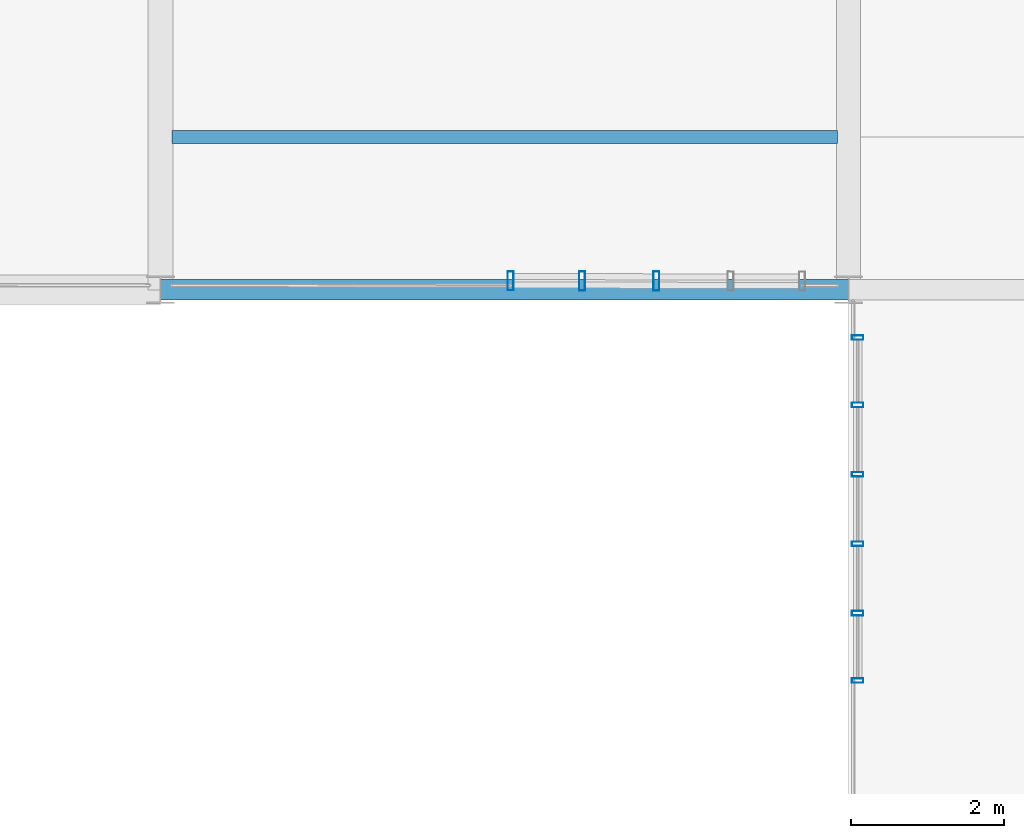
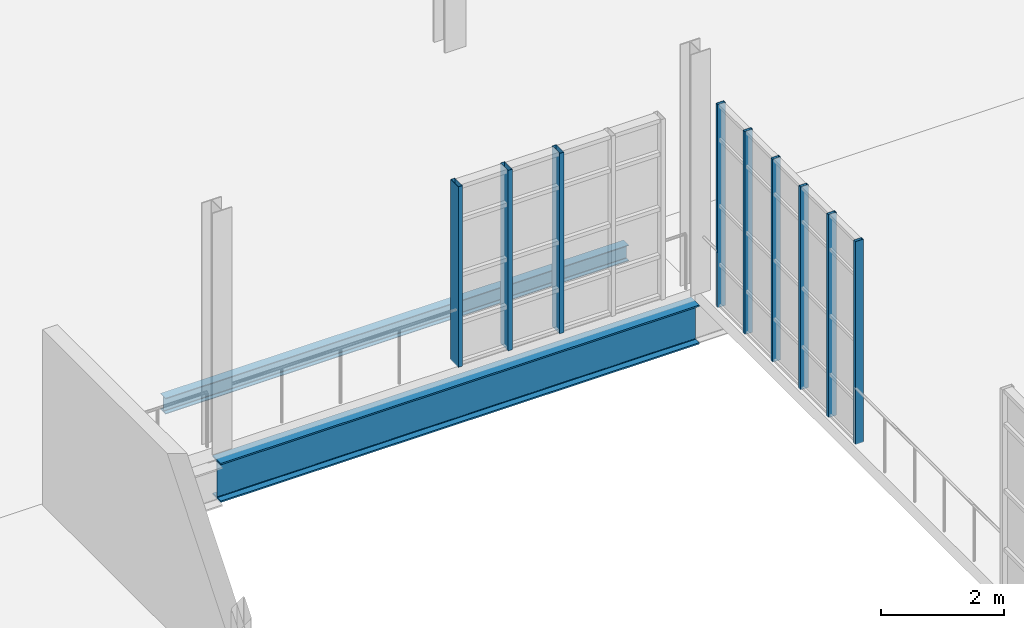
# One storey, part 35 of 122: 9 members, 2 beams, 2 elements without a shape of their own.
"""IFC4 building model written with IfcOpenShell, lengths in metres."""

from ifc_helpers import new_model, si_unit, direction, frame, origin, origin_2d, place, context, subcontext, project, spatial, hollow_rectangle, i_section, extrude, material, layer, layer_set, material_profile, profile_set, type_object, element, aggregate, save


model = new_model("IFC4")

# Units and contexts
model_context = context("Model", 3, precision=1e-05, world=origin(), true_north=direction((0.0, 1.0)))
body_context = subcontext(model_context, "Body", "Model", "MODEL_VIEW")
ifc_project = project(units=[si_unit("LENGTHUNIT", "METRE"), si_unit("AREAUNIT", "SQUARE_METRE"), si_unit("VOLUMEUNIT", "CUBIC_METRE"), si_unit("PLANEANGLEUNIT", "RADIAN"), si_unit("MASSUNIT", "GRAM", prefix="KILO"), si_unit("THERMODYNAMICTEMPERATUREUNIT", "KELVIN"), si_unit("POWERUNIT", "WATT")], contexts=[model_context])

# Site, building, storey
site_placement = place(None, origin())
site = spatial("IfcSite", under=ifc_project, at=site_placement, CompositionType="ELEMENT")
building_placement = place(site_placement, origin())
building = spatial("IfcBuilding", under=site, at=building_placement, Name="Zelmaris Science Centre", CompositionType="ELEMENT")
storey_placement = place(building_placement, frame((0.0, 0.0, 10.800048828125)))
storey = spatial("IfcBuildingStorey", under=building, at=storey_placement, Name="L02", CompositionType="ELEMENT", Elevation=10.800048828125)

# Curtain wall, members
ifc_material_1 = material(Name="Anodised architectural aluminium 6063-T6", Category="aluminium")
ifc_layer_1 = layer(ifc_material_1, 0.219970703125, Name="Anodised architectural aluminium 6063-T6")
ifc_layer_set_1 = layer_set([ifc_layer_1], Name="Anodised architectural aluminium 6063-T6")
curtain_wall_type_1 = type_object("IfcCurtainWallType", Name="Curtain Wall CW-04", PredefinedType="USERDEFINED", material=ifc_layer_set_1)
curtain_wall_1_placement = place(storey_placement, origin())
curtain_wall_1 = element("IfcCurtainWall", 1, at=curtain_wall_1_placement, inside=storey, type_object=curtain_wall_type_1, Name="L02 Unitised curtain wall 272", ObjectType="GLAZED CURTAIN WALL", PredefinedType="USERDEFINED")
ifc_material_profile_1 = material_profile(ifc_material_1, hollow_rectangle(XDim=0.06005859375, YDim=0.14990234375, WallThickness=0.00341796875, at=origin_2d()), Name="ALU-MUL-60X150")
ifc_profile_set_1 = profile_set([ifc_material_profile_1], Name="Anodised architectural aluminium 6063-T6")
member_type_1 = type_object("IfcMemberType", Name="ALU-MUL-60X150", PredefinedType="MULLION", material=ifc_profile_set_1)
member_1_placement = place(storey_placement, frame((99.1201171875, 58.885986328125, -0.01513671875), z_axis=(0.0, 0.0, 1.0), x_axis=(-5.235988e-06, 0.999999999986, 0.0)))
member_1 = element("IfcMember", 2, at=member_1_placement, type_object=member_type_1, Name="CW-04 mullion 1", PredefinedType="MULLION", context=body_context, shape_type="SweptSolid", body=[
    extrude(hollow_rectangle(XDim=0.06005859375, YDim=0.14990234375, WallThickness=0.00341796875, at=origin_2d()), origin(), (0.0, 0.0, 1.0), 4.03515625),
])
member_2_placement = place(storey_placement, frame((99.1201171875, 59.76806640625, -0.01513671875), z_axis=(0.0, 0.0, 1.0), x_axis=(-5.235988e-06, 0.999999999986, 0.0)))
member_2 = element("IfcMember", 3, at=member_2_placement, type_object=member_type_1, Name="CW-04 mullion 2", PredefinedType="MULLION", context=body_context, shape_type="SweptSolid", body=[
    extrude(hollow_rectangle(XDim=0.06005859375, YDim=0.14990234375, WallThickness=0.00341796875, at=origin_2d()), origin(), (0.0, 0.0, 1.0), 4.03515625),
])
member_3_placement = place(storey_placement, frame((99.1201171875, 60.676025390625, -0.01513671875), z_axis=(0.0, 0.0, 1.0), x_axis=(-5.235988e-06, 0.999999999986, 0.0)))
member_3 = element("IfcMember", 4, at=member_3_placement, type_object=member_type_1, Name="CW-04 mullion 3", PredefinedType="MULLION", context=body_context, shape_type="SweptSolid", body=[
    extrude(hollow_rectangle(XDim=0.06005859375, YDim=0.14990234375, WallThickness=0.00341796875, at=origin_2d()), origin(), (0.0, 0.0, 1.0), 4.03515625),
])
member_4_placement = place(storey_placement, frame((99.1201171875, 61.583984375, -0.01513671875), z_axis=(0.0, 0.0, 1.0), x_axis=(-5.235988e-06, 0.999999999986, 0.0)))
member_4 = element("IfcMember", 5, at=member_4_placement, type_object=member_type_1, Name="CW-04 mullion 4", PredefinedType="MULLION", context=body_context, shape_type="SweptSolid", body=[
    extrude(hollow_rectangle(XDim=0.06005859375, YDim=0.14990234375, WallThickness=0.00341796875, at=origin_2d()), origin(), (0.0, 0.0, 1.0), 4.03515625),
])
member_5_placement = place(storey_placement, frame((99.1201171875, 62.491943359375, -0.01513671875), z_axis=(0.0, 0.0, 1.0), x_axis=(-5.235988e-06, 0.999999999986, 0.0)))
member_5 = element("IfcMember", 6, at=member_5_placement, type_object=member_type_1, Name="CW-04 mullion 5", PredefinedType="MULLION", context=body_context, shape_type="SweptSolid", body=[
    extrude(hollow_rectangle(XDim=0.06005859375, YDim=0.14990234375, WallThickness=0.00341796875, at=origin_2d()), origin(), (0.0, 0.0, 1.0), 4.03515625),
])
member_6_placement = place(storey_placement, frame((99.1201171875, 63.3740234375, -0.01513671875), z_axis=(0.0, 0.0, 1.0), x_axis=(-5.235988e-06, 0.999999999986, 0.0)))
member_6 = element("IfcMember", 7, at=member_6_placement, type_object=member_type_1, Name="CW-04 mullion 6", PredefinedType="MULLION", context=body_context, shape_type="SweptSolid", body=[
    extrude(hollow_rectangle(XDim=0.06005859375, YDim=0.14990234375, WallThickness=0.00341796875, at=origin_2d()), origin(), (0.0, 0.0, 1.0), 4.03515625),
])
aggregate(curtain_wall_1, [member_1, member_2, member_3, member_4, member_5, member_6])

ifc_layer_2 = layer(ifc_material_1, 0.18994140625, Name="Anodised architectural aluminium 6063-T6")
ifc_layer_set_2 = layer_set([ifc_layer_2], Name="Anodised architectural aluminium 6063-T6")
curtain_wall_type_2 = type_object("IfcCurtainWallType", Name="Curtain Wall CW-01", PredefinedType="USERDEFINED", material=ifc_layer_set_2)
curtain_wall_2_placement = place(storey_placement, origin())
curtain_wall_2 = element("IfcCurtainWall", 8, at=curtain_wall_2_placement, inside=storey, type_object=curtain_wall_type_2, Name="L02 Unitised curtain wall 273", ObjectType="GLAZED CURTAIN WALL", PredefinedType="USERDEFINED")
ifc_material_profile_2 = material_profile(ifc_material_1, hollow_rectangle(XDim=0.080078125, YDim=0.25, WallThickness=0.0048828125, at=origin_2d()), Name="ALU-MUL-80X250")
ifc_profile_set_2 = profile_set([ifc_material_profile_2], Name="Anodised architectural aluminium 6063-T6")
member_type_2 = type_object("IfcMemberType", Name="ALU-MUL-80X250", PredefinedType="MULLION", material=ifc_profile_set_2)
member_7_placement = place(storey_placement, frame((96.486328125, 64.1142578125, -0.01513671875), z_axis=(0.0, 0.0, 1.0), x_axis=(-0.999999822894, 0.00059515724, 0.0)))
member_7 = element("IfcMember", 9, at=member_7_placement, type_object=member_type_2, Name="CW-01 mullion 3", PredefinedType="MULLION", context=body_context, shape_type="SweptSolid", body=[
    extrude(hollow_rectangle(XDim=0.080078125, YDim=0.25, WallThickness=0.0048828125, at=origin_2d()), origin(), (0.0, 0.0, 1.0), 3.588134765625),
])
member_8_placement = place(storey_placement, frame((95.51513671875, 64.114990234375, -0.01513671875), z_axis=(0.0, 0.0, 1.0), x_axis=(-0.999999822894, 0.00059515724, 0.0)))
member_8 = element("IfcMember", 10, at=member_8_placement, type_object=member_type_2, Name="CW-01 mullion 4", PredefinedType="MULLION", context=body_context, shape_type="SweptSolid", body=[
    extrude(hollow_rectangle(XDim=0.080078125, YDim=0.25, WallThickness=0.0048828125, at=origin_2d()), origin(), (0.0, 0.0, 1.0), 3.588134765625),
])
member_9_placement = place(storey_placement, frame((94.580078125, 64.115478515625, -0.01513671875), z_axis=(0.0, 0.0, 1.0), x_axis=(-0.999999822894, 0.00059515724, 0.0)))
member_9 = element("IfcMember", 11, at=member_9_placement, type_object=member_type_2, Name="CW-01 mullion 5", PredefinedType="MULLION", context=body_context, shape_type="SweptSolid", body=[
    extrude(hollow_rectangle(XDim=0.080078125, YDim=0.25, WallThickness=0.0048828125, at=origin_2d()), origin(), (0.0, 0.0, 1.0), 3.588134765625),
])
aggregate(curtain_wall_2, [member_7, member_8, member_9])

# Beams
ifc_material_2 = material(Name="Steel ASTM A992 Grade 50", Category="steel")
ifc_material_profile_3 = material_profile(ifc_material_2, i_section(OverallWidth=0.26708984375, OverallDepth=0.780029296875, WebThickness=0.0166015625, FlangeThickness=0.030029296875, FilletRadius=0.01904296875, at=origin_2d()), Name="W30X148")
ifc_profile_set_3 = profile_set([ifc_material_profile_3], Name="Steel ASTM A992 Grade 50")
beam_type_1 = type_object("IfcBeamType", Name="Beam G-32 W30X148", PredefinedType="BEAM", material=ifc_profile_set_3)
beam_1_placement = place(storey_placement, frame((90.0, 64.0, -0.650146484375), z_axis=(1.0, 0.0, 0.0), x_axis=(0.0, 1.0, 0.0)))
element("IfcBeam", 12, at=beam_1_placement, inside=storey, type_object=beam_type_1, Name="L02 East-west girder 579", PredefinedType="BEAM", context=body_context, shape_type="SweptSolid", body=[
    extrude(i_section(OverallWidth=0.26708984375, OverallDepth=0.780029296875, WebThickness=0.0166015625, FlangeThickness=0.030029296875, FilletRadius=0.01904296875, at=origin_2d()), origin(), (0.0, 0.0, 1.0), 9.0),
])
ifc_material_profile_4 = material_profile(ifc_material_2, i_section(OverallWidth=0.1669921875, OverallDepth=0.318115234375, WebThickness=0.007568359375, FlangeThickness=0.01318359375, FilletRadius=0.011962890625, at=origin_2d()), Name="W12X35")
ifc_profile_set_4 = profile_set([ifc_material_profile_4], Name="Steel ASTM A992 Grade 50")
beam_type_2 = type_object("IfcBeamType", Name="Beam J-09 W12X35", PredefinedType="JOIST", material=ifc_profile_set_4)
beam_2_placement = place(storey_placement, frame((90.1474609375, 66.0, -0.4189453125), z_axis=(1.0, 0.0, 0.0), x_axis=(0.0, 1.0, 0.0)))
element("IfcBeam", 13, at=beam_2_placement, inside=storey, type_object=beam_type_2, Name="L02 Composite floor joist 260", PredefinedType="JOIST", context=body_context, shape_type="SweptSolid", body=[
    extrude(i_section(OverallWidth=0.1669921875, OverallDepth=0.318115234375, WebThickness=0.007568359375, FlangeThickness=0.01318359375, FilletRadius=0.011962890625, at=origin_2d()), origin(), (0.0, 0.0, 1.0), 8.71142578125),
])

save(model, "model.ifc")
